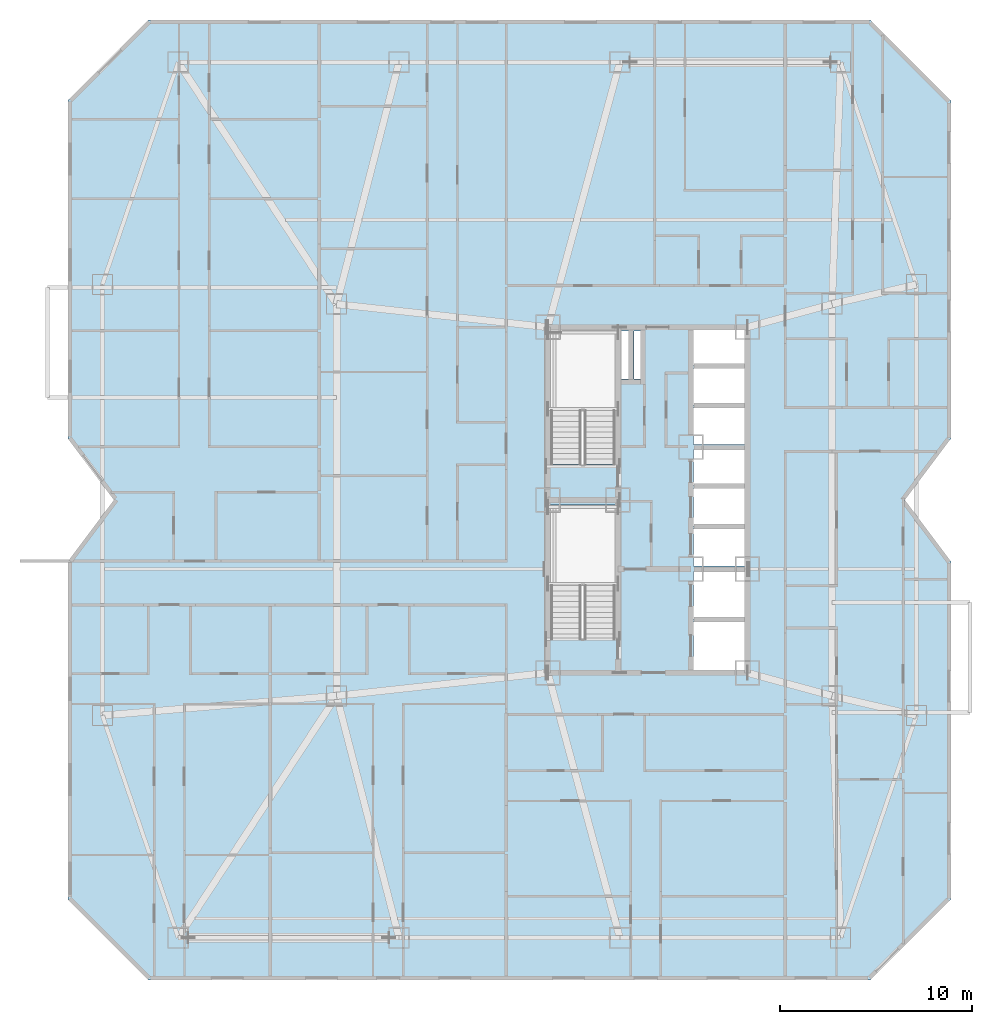
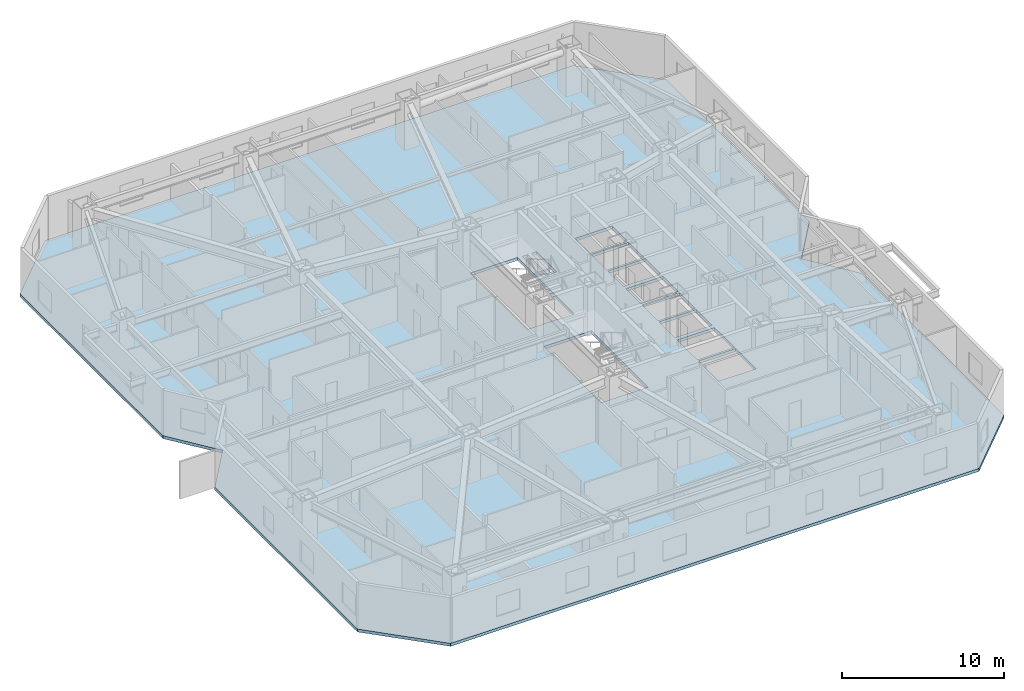
# One storey, part 3 of 14: 1 slab.
"""IFC4 building model written with IfcOpenShell, lengths in metres."""

from ifc_helpers import new_model, si_unit, direction, frame, origin, place, context, subcontext, project, spatial, polyline, outline, extrude, material, layer, layer_set, type_object, element, save


model = new_model("IFC4")

# Units and contexts
model_context = context("Model", 3, precision=1e-05, world=origin(), true_north=direction((0.0, 1.0)))
body_context = subcontext(model_context, "Body", "Model", "MODEL_VIEW")
ifc_project = project(units=[si_unit("LENGTHUNIT", "METRE"), si_unit("AREAUNIT", "SQUARE_METRE"), si_unit("VOLUMEUNIT", "CUBIC_METRE"), si_unit("PLANEANGLEUNIT", "RADIAN"), si_unit("MASSUNIT", "GRAM", prefix="KILO")], contexts=[model_context])

# Site, building, storey
site_placement = place(None, origin())
site = spatial("IfcSite", under=ifc_project, at=site_placement, CompositionType="ELEMENT")
building_placement = place(site_placement, origin())
building = spatial("IfcBuilding", under=site, at=building_placement, Name="Khamvora Tower", CompositionType="ELEMENT")
storey_placement = place(building_placement, frame((0.0, 0.0, 51.550048828125)))
storey = spatial("IfcBuildingStorey", under=building, at=storey_placement, Name="L12", CompositionType="ELEMENT", Elevation=51.550048828125)

# Slab
ifc_material = material(Name="Concrete C35/45", Category="concrete")
ifc_layer = layer(ifc_material, 0.219970703125)
ifc_layer_set = layer_set([ifc_layer], Name="Concrete C35/45")
slab_type = type_object("IfcSlabType", Name="SLB-TYP-220", PredefinedType="FLOOR", material=ifc_layer_set)
slab_placement = place(storey_placement, frame((0.0, 0.0, -0.219970703125)))
element("IfcSlab", 1, at=slab_placement, inside=storey, type_object=slab_type, Name="L12 structural floor slab", PredefinedType="FLOOR", context=body_context, shape_type="SweptSolid", body=[
    extrude(outline(polyline([(8.199951171875, 3.0), (45.800048828125, 3.0), (50.0, 7.199951171875), (50.0, 24.800048828125), (47.60009765625, 28.0), (50.0, 31.199951171875), (50.0, 48.800048828125), (45.800048828125, 53.0), (8.199951171875, 53.0), (4.0, 48.800048828125), (4.0, 31.199951171875), (6.39990234375, 28.0), (4.0, 24.800048828125), (4.0, 7.199951171875), (8.199951171875, 3.0)]), holes=[polyline([(32.5, 20.760009765625), (32.5, 27.75), (29.14990234375, 27.75), (29.14990234375, 20.760009765625), (32.5, 20.760009765625)]), polyline([(32.5, 29.860107421875), (32.5, 36.85009765625), (29.14990234375, 36.85009765625), (29.14990234375, 29.860107421875), (32.5, 29.860107421875)]), polyline([(36.60009765625, 19.14990234375), (39.25, 19.14990234375), (39.25, 21.64990234375), (36.60009765625, 21.64990234375), (36.60009765625, 19.14990234375)]), polyline([(36.60009765625, 21.800048828125), (39.25, 21.800048828125), (39.25, 24.25), (36.60009765625, 24.25), (36.60009765625, 21.800048828125)]), polyline([(36.60009765625, 24.550048828125), (39.25, 24.550048828125), (39.25, 26.5), (36.60009765625, 26.5), (36.60009765625, 24.550048828125)]), polyline([(36.60009765625, 26.64990234375), (39.25, 26.64990234375), (39.25, 28.60009765625), (36.60009765625, 28.60009765625), (36.60009765625, 26.64990234375)]), polyline([(36.60009765625, 28.75), (39.25, 28.75), (39.25, 30.60009765625), (36.60009765625, 30.60009765625), (36.60009765625, 28.75)]), polyline([(36.60009765625, 30.89990234375), (39.25, 30.89990234375), (39.25, 32.800048828125), (36.60009765625, 32.800048828125), (36.60009765625, 30.89990234375)]), polyline([(36.60009765625, 32.949951171875), (39.25, 32.949951171875), (39.25, 34.85009765625), (36.60009765625, 34.85009765625), (36.60009765625, 32.949951171875)]), polyline([(36.60009765625, 35.0), (39.25, 35.0), (39.25, 36.85009765625), (36.60009765625, 36.85009765625), (36.60009765625, 35.0)]), polyline([(32.800048828125, 34.300048828125), (33.199951171875, 34.300048828125), (33.199951171875, 36.800048828125), (32.800048828125, 36.800048828125), (32.800048828125, 34.300048828125)]), polyline([(33.47998046875, 34.300048828125), (33.820068359375, 34.300048828125), (33.820068359375, 36.800048828125), (33.47998046875, 36.800048828125), (33.47998046875, 34.300048828125)])]), origin(), (0.0, 0.0, 1.0), 0.219970703125),
])

save(model, "model.ifc")
